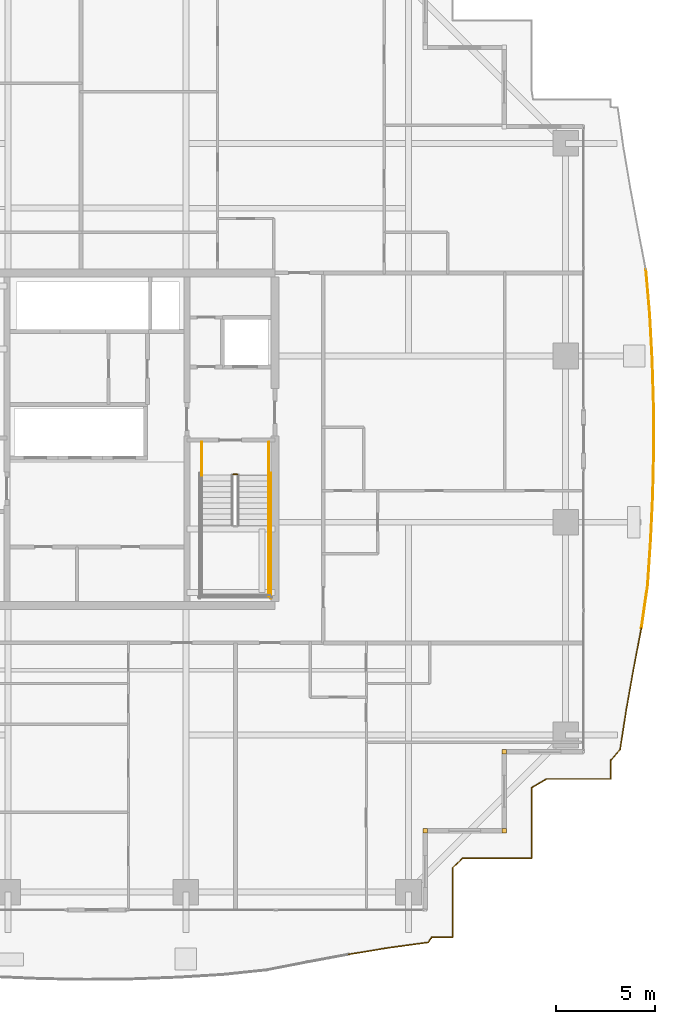
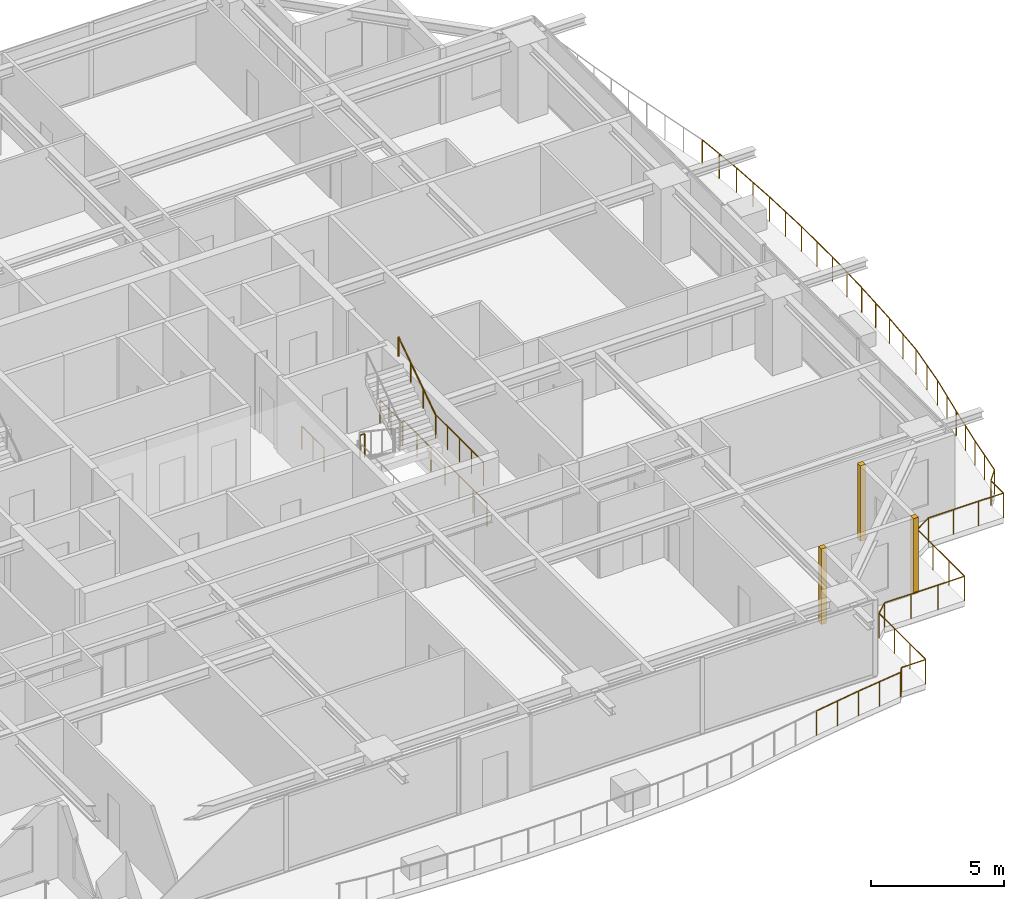
# One storey, part 36 of 37: 9 railings, 3 coverings.
"""IFC4 building model written with IfcOpenShell, lengths in metres."""

from ifc_helpers import new_model, si_unit, direction, frame, origin, origin_2d, place, context, subcontext, project, spatial, rectangle, circle, extrude, source, transform, mapped, material, layer, layer_set, type_object, element, save


model = new_model("IFC4")

# Units and contexts
model_context = context("Model", 3, precision=1e-05, world=origin(), true_north=direction((0.0, 1.0)))
body_context = subcontext(model_context, "Body", "Model", "MODEL_VIEW")
ifc_project = project(units=[si_unit("LENGTHUNIT", "METRE"), si_unit("AREAUNIT", "SQUARE_METRE"), si_unit("VOLUMEUNIT", "CUBIC_METRE"), si_unit("PLANEANGLEUNIT", "RADIAN"), si_unit("MASSUNIT", "GRAM", prefix="KILO")], contexts=[model_context])

# Site, building, storey
site_placement = place(None, origin())
site = spatial("IfcSite", under=ifc_project, at=site_placement, CompositionType="ELEMENT")
building_placement = place(site_placement, origin())
building = spatial("IfcBuilding", under=site, at=building_placement, Name="Serunith Strait Residences", CompositionType="ELEMENT")
storey_placement = place(building_placement, frame((0.0, 0.0, 161.39990234375)))
storey = spatial("IfcBuildingStorey", under=building, at=storey_placement, Name="L40", CompositionType="ELEMENT", Elevation=161.39990234375)

# Railings
ifc_material_1 = material(Name="Stainless Steel & Laminated Glass Balustrade", Category="steel")
railing_type_1 = type_object("IfcRailingType", Name="RLG-BALC-1150", PredefinedType="BALUSTRADE", material=ifc_material_1)
railing_1_placement = place(storey_placement, frame((60.152587890625, 33.77392578125, -0.0498046875)))
element("IfcRailing", 1, at=railing_1_placement, inside=storey, type_object=railing_type_1, Name="L40 Swirling Balcony Perimeter Balustrade 4", PredefinedType="BALUSTRADE", context=body_context, shape_type="SweptSolid", body=[
    extrude(circle(Radius=0.02392578125, at=origin_2d()), frame((0.000244140625, -0.001953125, 1.1259765625), z_axis=(0.087222402441, -0.996188863877, 0.0), x_axis=(0.996188863877, 0.087222402441, 0.0)), (0.0, 0.0, 1.0), 2.2353515625),
    extrude(circle(Radius=0.02392578125, at=origin_2d()), frame((0.1953125, -2.232666015625, 1.1259765625), z_axis=(0.05447810144, -0.998514965568, 0.0), x_axis=(0.998514965568, 0.05447810144, 0.0)), (0.0, 0.0, 1.0), 2.2724609375),
    extrude(circle(Radius=0.02392578125, at=origin_2d()), frame((0.3193359375, -4.505859375, 1.1259765625), z_axis=(0.03070405422, -0.99952851938, 0.0), x_axis=(0.99952851938, 0.03070405422, 0.0)), (0.0, 0.0, 1.0), 2.2939453125),
    extrude(circle(Radius=0.02392578125, at=origin_2d()), frame((0.389892578125, -6.802734375, 1.1259765625), z_axis=(0.004444400549, -0.999990123603, 0.0), x_axis=(0.999990123603, 0.004444400549, 0.0)), (0.0, 0.0, 1.0), 2.30322265625),
    extrude(circle(Radius=0.02392578125, at=origin_2d()), frame((0.400146484375, -9.10986328125, 1.1259765625), z_axis=(-0.022153171011, -0.999754588394, 0.0), x_axis=(0.999754588394, -0.022153171011, 0.0)), (0.0, 0.0, 1.0), 2.29931640625),
    extrude(circle(Radius=0.02392578125, at=origin_2d()), frame((0.34912109375, -11.41259765625, 1.1259765625), z_axis=(-0.046976724356, -0.998895984259, 0.0), x_axis=(0.998895984259, -0.046976724356, 0.0)), (0.0, 0.0, 1.0), 2.28271484375),
    extrude(circle(Radius=0.02392578125, at=origin_2d()), frame((0.241455078125, -13.69677734375, 1.1259765625), z_axis=(-0.067852791401, -0.997695343629, 0.0), x_axis=(0.997695343629, -0.067852791401, 0.0)), (0.0, 0.0, 1.0), 2.255615234375),
    extrude(circle(Radius=0.02392578125, at=origin_2d()), frame((0.088134765625, -15.951171875, 1.1259765625), z_axis=(-0.143086608625, -0.989710170925, 0.0), x_axis=(0.989710170925, -0.143086608625, 0.0)), (0.0, 0.0, 1.0), 2.19189453125),
    extrude(circle(Radius=0.02099609375, at=origin_2d()), origin(), (0.0, 0.0, 1.0), 1.099853515625),
    extrude(circle(Radius=0.02099609375, at=origin_2d()), frame((0.09765625, -1.115234375, 0.0)), (0.0, 0.0, 1.0), 1.099853515625),
    extrude(circle(Radius=0.02099609375, at=origin_2d()), frame((0.1953125, -2.230712890625, 0.0)), (0.0, 0.0, 1.0), 1.099853515625),
    extrude(circle(Radius=0.02099609375, at=origin_2d()), frame((0.25732421875, -3.3671875, 0.0)), (0.0, 0.0, 1.0), 1.099853515625),
    extrude(circle(Radius=0.02099609375, at=origin_2d()), frame((0.3193359375, -4.50390625, 0.0)), (0.0, 0.0, 1.0), 1.099853515625),
    extrude(circle(Radius=0.02099609375, at=origin_2d()), frame((0.3544921875, -5.65234375, 0.0)), (0.0, 0.0, 1.0), 1.099853515625),
    extrude(circle(Radius=0.02099609375, at=origin_2d()), frame((0.389892578125, -6.80078125, 0.0)), (0.0, 0.0, 1.0), 1.099853515625),
    extrude(circle(Radius=0.02099609375, at=origin_2d()), frame((0.39501953125, -7.954345703125, 0.0)), (0.0, 0.0, 1.0), 1.099853515625),
    extrude(circle(Radius=0.02099609375, at=origin_2d()), frame((0.400146484375, -9.10791015625, 0.0)), (0.0, 0.0, 1.0), 1.099853515625),
    extrude(circle(Radius=0.02099609375, at=origin_2d()), frame((0.37451171875, -10.25927734375, 0.0)), (0.0, 0.0, 1.0), 1.099853515625),
    extrude(circle(Radius=0.02099609375, at=origin_2d()), frame((0.34912109375, -11.41064453125, 0.0)), (0.0, 0.0, 1.0), 1.099853515625),
    extrude(circle(Radius=0.02099609375, at=origin_2d()), frame((0.29541015625, -12.552734375, 0.0)), (0.0, 0.0, 1.0), 1.099853515625),
    extrude(circle(Radius=0.02099609375, at=origin_2d()), frame((0.24169921875, -13.69482421875, 0.0)), (0.0, 0.0, 1.0), 1.099853515625),
    extrude(circle(Radius=0.02099609375, at=origin_2d()), frame((0.1650390625, -14.822021484375, 0.0)), (0.0, 0.0, 1.0), 1.099853515625),
    extrude(circle(Radius=0.02099609375, at=origin_2d()), frame((0.08837890625, -15.94921875, 0.0)), (0.0, 0.0, 1.0), 1.099853515625),
    extrude(circle(Radius=0.02099609375, at=origin_2d()), frame((-0.06884765625, -17.035888671875, 0.0)), (0.0, 0.0, 1.0), 1.099853515625),
    extrude(circle(Radius=0.02099609375, at=origin_2d()), frame((-0.225830078125, -18.12255859375, 0.0)), (0.0, 0.0, 1.0), 1.099853515625),
])
railing_2_placement = place(storey_placement, frame((59.9267578125, 15.6513671875, -0.0498046875)))
element("IfcRailing", 2, at=railing_2_placement, inside=storey, type_object=railing_type_1, Name="L40 Swirling Balcony Perimeter Balustrade 5", PredefinedType="BALUSTRADE", context=body_context, shape_type="SweptSolid", body=[
    extrude(circle(Radius=0.02392578125, at=origin_2d()), frame((-0.00048828125, -0.001953125, 1.1259765625), z_axis=(-0.187994394229, -0.982170101224, 0.0), x_axis=(0.982170101224, -0.187994394229, 0.0)), (0.0, 0.0, 1.0), 2.119384765625),
    extrude(circle(Radius=0.02392578125, at=origin_2d()), frame((-0.3994140625, -2.08740234375, 1.1259765625), z_axis=(-0.175460053687, -0.984486551234, 0.0), x_axis=(0.984486551234, -0.175460053687, 0.0)), (0.0, 0.0, 1.0), 2.06640625),
    extrude(circle(Radius=0.02392578125, at=origin_2d()), frame((-0.7626953125, -4.125732421875, 1.1259765625), z_axis=(-0.15295932288, -0.988232485574, 0.0), x_axis=(0.988232485574, -0.15295932288, 0.0)), (0.0, 0.0, 1.0), 2.029541015625),
    extrude(circle(Radius=0.02392578125, at=origin_2d()), frame((-1.07470703125, -6.134765625, 1.1259765625), z_axis=(-0.649659369082, -0.760225429833, 0.0), x_axis=(0.760225429833, -0.649659369082, 0.0)), (0.0, 0.0, 1.0), 0.724609375),
    extrude(circle(Radius=0.02392578125, at=origin_2d()), frame((-1.546875, -6.689208984375, 1.1259765625), z_axis=(0.0, -1.0, 0.0), x_axis=(1.0, 0.0, 0.0)), (0.0, 0.0, 1.0), 0.940185546875),
    extrude(circle(Radius=0.02392578125, at=origin_2d()), frame((-1.548828125, -7.63134765625, 1.1259765625), z_axis=(-1.0, 0.0, 0.0), x_axis=(0.0, -1.0, 0.0)), (0.0, 0.0, 1.0), 3.254150390625),
    extrude(circle(Radius=0.02392578125, at=origin_2d()), frame((-4.806640625, -7.63232421875, 1.1259765625), z_axis=(-0.858413716241, -0.512957982459, 0.0), x_axis=(0.512957982459, -0.858413716241, 0.0)), (0.0, 0.0, 1.0), 0.8603515625),
    extrude(circle(Radius=0.02392578125, at=origin_2d()), frame((-5.546875, -8.07666015625, 1.1259765625), z_axis=(0.0, -1.0, 0.0), x_axis=(1.0, 0.0, 0.0)), (0.0, 0.0, 1.0), 3.552734375),
    extrude(circle(Radius=0.02099609375, at=origin_2d()), origin(), (0.0, 0.0, 1.0), 1.099853515625),
    extrude(circle(Radius=0.02099609375, at=origin_2d()), frame((-0.19970703125, -1.042724609375, 0.0)), (0.0, 0.0, 1.0), 1.099853515625),
    extrude(circle(Radius=0.02099609375, at=origin_2d()), frame((-0.399169921875, -2.08544921875, 0.0)), (0.0, 0.0, 1.0), 1.099853515625),
    extrude(circle(Radius=0.02099609375, at=origin_2d()), frame((-0.580810546875, -3.1044921875, 0.0)), (0.0, 0.0, 1.0), 1.099853515625),
    extrude(circle(Radius=0.02099609375, at=origin_2d()), frame((-0.762451171875, -4.123779296875, 0.0)), (0.0, 0.0, 1.0), 1.099853515625),
    extrude(circle(Radius=0.02099609375, at=origin_2d()), frame((-0.91796875, -5.12841796875, 0.0)), (0.0, 0.0, 1.0), 1.099853515625),
    extrude(circle(Radius=0.02099609375, at=origin_2d()), frame((-1.073486328125, -6.13330078125, 0.0)), (0.0, 0.0, 1.0), 1.099853515625),
    extrude(circle(Radius=0.02099609375, at=origin_2d()), frame((-1.546875, -6.687255859375, 0.0)), (0.0, 0.0, 1.0), 1.099853515625),
    extrude(circle(Radius=0.02099609375, at=origin_2d()), frame((-1.546875, -7.63134765625, 0.0)), (0.0, 0.0, 1.0), 1.099853515625),
    extrude(circle(Radius=0.02099609375, at=origin_2d()), frame((-2.6328125, -7.63134765625, 0.0)), (0.0, 0.0, 1.0), 1.099853515625),
    extrude(circle(Radius=0.02099609375, at=origin_2d()), frame((-3.718994140625, -7.63134765625, 0.0)), (0.0, 0.0, 1.0), 1.099853515625),
    extrude(circle(Radius=0.02099609375, at=origin_2d()), frame((-4.804931640625, -7.63134765625, 0.0)), (0.0, 0.0, 1.0), 1.099853515625),
    extrude(circle(Radius=0.02099609375, at=origin_2d()), frame((-5.546875, -8.07470703125, 0.0)), (0.0, 0.0, 1.0), 1.099853515625),
    extrude(circle(Radius=0.02099609375, at=origin_2d()), frame((-5.546875, -9.26025390625, 0.0)), (0.0, 0.0, 1.0), 1.099853515625),
    extrude(circle(Radius=0.02099609375, at=origin_2d()), frame((-5.546875, -10.44580078125, 0.0)), (0.0, 0.0, 1.0), 1.099853515625),
    extrude(circle(Radius=0.02099609375, at=origin_2d()), frame((-5.546875, -11.63134765625, 0.0)), (0.0, 0.0, 1.0), 1.099853515625),
])
railing_3_placement = place(storey_placement, frame((54.3798828125, 4.02001953125, -0.0498046875)))
element("IfcRailing", 3, at=railing_3_placement, inside=storey, type_object=railing_type_1, Name="L40 Swirling Balcony Perimeter Balustrade 6", PredefinedType="BALUSTRADE", context=body_context, shape_type="SweptSolid", body=[
    extrude(circle(Radius=0.02392578125, at=origin_2d()), frame((-0.001953125, 0.0, 1.1259765625), z_axis=(-1.0, 0.0, 0.0), x_axis=(0.0, -1.0, 0.0)), (0.0, 0.0, 1.0), 3.477783203125),
    extrude(circle(Radius=0.02392578125, at=origin_2d()), frame((-3.483154296875, -0.00146484375, 1.1259765625), z_axis=(-0.722250155549, -0.691631920034, 0.0), x_axis=(0.691631920034, -0.722250155549, 0.0)), (0.0, 0.0, 1.0), 0.713623046875),
    extrude(circle(Radius=0.02392578125, at=origin_2d()), frame((-4.0, -0.498291015625, 1.1259765625), z_axis=(0.0, -1.0, 0.0), x_axis=(1.0, 0.0, 0.0)), (0.0, 0.0, 1.0), 3.499755859375),
    extrude(circle(Radius=0.02392578125, at=origin_2d()), frame((-4.001953125, -4.0, 1.1259765625), z_axis=(-1.0, 0.0, 0.0), x_axis=(0.0, -1.0, 0.0)), (0.0, 0.0, 1.0), 1.044189453125),
    extrude(circle(Radius=0.02392578125, at=origin_2d()), frame((-5.04931640625, -4.001708984375, 1.1259765625), z_axis=(-0.583841000326, -0.811868022734, 0.0), x_axis=(0.811868022734, -0.583841000326, 0.0)), (0.0, 0.0, 1.0), 0.31494140625),
    extrude(circle(Radius=0.02392578125, at=origin_2d()), frame((-5.236328125, -4.25927734375, 1.1259765625), z_axis=(-0.990806589717, -0.135285999915, 0.0), x_axis=(0.135285999915, -0.990806589717, 0.0)), (0.0, 0.0, 1.0), 2.013671875),
    extrude(circle(Radius=0.02392578125, at=origin_2d()), frame((-7.2353515625, -4.5322265625, 1.1259765625), z_axis=(-0.986753151218, -0.162228907912, 0.0), x_axis=(0.162228907912, -0.986753151218, 0.0)), (0.0, 0.0, 1.0), 2.039794921875),
    extrude(circle(Radius=0.02099609375, at=origin_2d()), origin(), (0.0, 0.0, 1.0), 1.099853515625),
    extrude(circle(Radius=0.02099609375, at=origin_2d()), frame((-1.16064453125, 0.0, 0.0)), (0.0, 0.0, 1.0), 1.099853515625),
    extrude(circle(Radius=0.02099609375, at=origin_2d()), frame((-2.321044921875, 0.0, 0.0)), (0.0, 0.0, 1.0), 1.099853515625),
    extrude(circle(Radius=0.02099609375, at=origin_2d()), frame((-3.481689453125, 0.0, 0.0)), (0.0, 0.0, 1.0), 1.099853515625),
    extrude(circle(Radius=0.02099609375, at=origin_2d()), frame((-4.0, -0.496337890625, 0.0)), (0.0, 0.0, 1.0), 1.099853515625),
    extrude(circle(Radius=0.02099609375, at=origin_2d()), frame((-4.0, -1.664306640625, 0.0)), (0.0, 0.0, 1.0), 1.099853515625),
    extrude(circle(Radius=0.02099609375, at=origin_2d()), frame((-4.0, -2.83203125, 0.0)), (0.0, 0.0, 1.0), 1.099853515625),
    extrude(circle(Radius=0.02099609375, at=origin_2d()), frame((-4.0, -4.0, 0.0)), (0.0, 0.0, 1.0), 1.099853515625),
    extrude(circle(Radius=0.02099609375, at=origin_2d()), frame((-5.048095703125, -4.0, 0.0)), (0.0, 0.0, 1.0), 1.099853515625),
    extrude(circle(Radius=0.02099609375, at=origin_2d()), frame((-5.234375, -4.259033203125, 0.0)), (0.0, 0.0, 1.0), 1.099853515625),
    extrude(circle(Radius=0.02099609375, at=origin_2d()), frame((-6.23388671875, -4.3955078125, 0.0)), (0.0, 0.0, 1.0), 1.099853515625),
    extrude(circle(Radius=0.02099609375, at=origin_2d()), frame((-7.2333984375, -4.531982421875, 0.0)), (0.0, 0.0, 1.0), 1.099853515625),
    extrude(circle(Radius=0.02099609375, at=origin_2d()), frame((-8.24169921875, -4.69775390625, 0.0)), (0.0, 0.0, 1.0), 1.099853515625),
    extrude(circle(Radius=0.02099609375, at=origin_2d()), frame((-9.25, -4.863525390625, 0.0)), (0.0, 0.0, 1.0), 1.099853515625),
])
ifc_material_2 = material(Name="Brushed stainless steel 316L", Category="steel")
railing_type_2 = type_object("IfcRailingType", Name="RLG-STAIR-GUARD", PredefinedType="BALUSTRADE", material=ifc_material_2)
railing_4_placement = place(storey_placement, frame((41.10009765625, 20.85009765625, 1.875)))
element("IfcRailing", 4, at=railing_4_placement, inside=storey, type_object=railing_type_2, Name="L40 ST-2 stair guard 4", PredefinedType="BALUSTRADE", context=body_context, shape_type="SweptSolid", body=[
    extrude(circle(Radius=0.02392578125, at=origin_2d()), frame((0.0, -0.001953125, 1.076171875), z_axis=(0.0, -1.0, 0.0), x_axis=(1.0, 0.0, 0.0)), (0.0, 0.0, 1.0), 3.59619140625),
    extrude(circle(Radius=0.02099609375, at=origin_2d()), origin(), (0.0, 0.0, 1.0), 1.050048828125),
    extrude(circle(Radius=0.02099609375, at=origin_2d()), frame((0.0, -0.89990234375, 0.0)), (0.0, 0.0, 1.0), 1.050048828125),
    extrude(circle(Radius=0.02099609375, at=origin_2d()), frame((0.0, -1.800048828125, 0.0)), (0.0, 0.0, 1.0), 1.050048828125),
    extrude(circle(Radius=0.02099609375, at=origin_2d()), frame((0.0, -2.7001953125, 0.0)), (0.0, 0.0, 1.0), 1.050048828125),
    extrude(circle(Radius=0.02099609375, at=origin_2d()), frame((0.0, -3.60009765625, 0.0)), (0.0, 0.0, 1.0), 1.050048828125),
])
railing_5_placement = place(storey_placement, frame((39.300048828125, 23.419921875, 0.0)))
element("IfcRailing", 5, at=railing_5_placement, inside=storey, type_object=railing_type_2, Name="L40 ST-2 stair guard 7", PredefinedType="BALUSTRADE", context=body_context, shape_type="SweptSolid", body=[
    extrude(circle(Radius=0.02392578125, at=origin_2d()), frame((0.001953125, 0.0, 1.076171875), z_axis=(1.0, 0.0, 0.0), x_axis=(0.0, 1.0, 0.0)), (0.0, 0.0, 1.0), 0.196044921875),
    extrude(circle(Radius=0.02099609375, at=origin_2d()), origin(), (0.0, 0.0, 1.0), 1.050048828125),
    extrude(circle(Radius=0.02099609375, at=origin_2d()), frame((0.199951171875, 0.0, 0.0)), (0.0, 0.0, 1.0), 1.050048828125),
])
for number, where, name in (
    (6, (37.699951171875, 25.050048828125, 0.0), "L40 ST-2 stair guard 8"),
    (7, (41.10009765625, 25.050048828125, 0.0), "L40 ST-2 stair guard 9"),
):
    element("IfcRailing", number, at=place(storey_placement, frame(where)), inside=storey, type_object=railing_type_2, Name=name, PredefinedType="BALUSTRADE", context=body_context, shape_type="SweptSolid", body=[
        extrude(circle(Radius=0.02392578125, at=origin_2d()), frame((0.0, -0.001953125, 1.076171875), z_axis=(0.0, -1.0, 0.0), x_axis=(1.0, 0.0, 0.0)), (0.0, 0.0, 1.0), 1.676025390625),
        extrude(circle(Radius=0.02099609375, at=origin_2d()), origin(), (0.0, 0.0, 1.0), 1.050048828125),
        extrude(circle(Radius=0.02099609375, at=origin_2d()), frame((0.0, -0.83984375, 0.0)), (0.0, 0.0, 1.0), 1.050048828125),
        extrude(circle(Radius=0.02099609375, at=origin_2d()), frame((0.0, -1.679931640625, 0.0)), (0.0, 0.0, 1.0), 1.050048828125),
    ])
railing_6_placement = place(storey_placement, frame((41.199951171875, 23.469970703125, 0.0)))
element("IfcRailing", 8, at=railing_6_placement, inside=storey, type_object=railing_type_2, Name="L40 ST-2 stair guard 11", PredefinedType="BALUSTRADE", context=body_context, shape_type="SweptSolid", body=[
    extrude(circle(Radius=0.02392578125, at=origin_2d()), frame((0.0, -0.001953125, 1.076171875), z_axis=(0.0, -1.0, 0.0), x_axis=(1.0, 0.0, 0.0)), (0.0, 0.0, 1.0), 6.316162109375),
    extrude(circle(Radius=0.02099609375, at=origin_2d()), origin(), (0.0, 0.0, 1.0), 1.050048828125),
    extrude(circle(Radius=0.02099609375, at=origin_2d()), frame((0.0, -1.05322265625, 0.0)), (0.0, 0.0, 1.0), 1.050048828125),
    extrude(circle(Radius=0.02099609375, at=origin_2d()), frame((0.0, -2.106689453125, 0.0)), (0.0, 0.0, 1.0), 1.050048828125),
    extrude(circle(Radius=0.02099609375, at=origin_2d()), frame((0.0, -3.16015625, 0.0)), (0.0, 0.0, 1.0), 1.050048828125),
    extrude(circle(Radius=0.02099609375, at=origin_2d()), frame((0.0, -4.21337890625, 0.0)), (0.0, 0.0, 1.0), 1.050048828125),
    extrude(circle(Radius=0.02099609375, at=origin_2d()), frame((0.0, -5.2666015625, 0.0)), (0.0, 0.0, 1.0), 1.050048828125),
    extrude(circle(Radius=0.02099609375, at=origin_2d()), frame((0.0, -6.320068359375, 0.0)), (0.0, 0.0, 1.0), 1.050048828125),
])
railing_type_3 = type_object("IfcRailingType", Name="RLG-STAIR-HR", PredefinedType="HANDRAIL", material=ifc_material_2)
railing_7_placement = place(storey_placement, frame((41.10009765625, 20.85009765625, 2.0625)))
element("IfcRailing", 9, at=railing_7_placement, inside=storey, type_object=railing_type_3, Name="L40 ST-2 stair handrail 2", PredefinedType="HANDRAIL", context=body_context, shape_type="SweptSolid", body=[
    extrude(circle(Radius=0.02392578125, at=origin_2d()), frame((0.0, 0.001708984375, 0.876953125), z_axis=(0.0, 0.830185712471, 0.557486935101), x_axis=(-1.0, 0.0, 0.0)), (0.0, 0.0, 1.0), 3.368408203125),
    extrude(circle(Radius=0.02099609375, at=origin_2d()), origin(), (0.0, 0.0, 1.0), 0.849853515625),
    extrude(circle(Radius=0.02099609375, at=origin_2d()), frame((0.0, 0.933349609375, 0.626708984375)), (0.0, 0.0, 1.0), 0.849853515625),
    extrude(circle(Radius=0.02099609375, at=origin_2d()), frame((0.0, 1.866455078125, 1.25341796875)), (0.0, 0.0, 1.0), 0.849853515625),
    extrude(circle(Radius=0.02099609375, at=origin_2d()), frame((0.0, 2.7998046875, 1.880126953125)), (0.0, 0.0, 1.0), 0.849853515625),
])

# Coverings
ifc_material_3 = material(Name="Pale-Champagne Anodised Aluminium", Category="aluminium")
ifc_layer = layer(ifc_material_3, 0.219970703125, Name="Pale-Champagne Anodised Aluminium")
ifc_layer_set = layer_set([ifc_layer], Name="Pale-Champagne Anodised Aluminium")
covering_type = type_object("IfcCoveringType", Name="COV-CORN-TRIM", PredefinedType="CLADDING", material=ifc_layer_set)
shared_shape = source(origin(), body_context, "Body", "SweptSolid", [
    extrude(rectangle(XDim=0.221923828125, YDim=0.221923828125, at=origin_2d()), origin(), (0.0, 0.0, 1.0), 3.47509765625),
])
for number, where, z_axis, x_axis, name in (
    (10, (49.0, 5.39990234375, 0.0), (0.0, 0.0, 1.0), (1.0, 0.0, 0.0), "L40 Girih Serrated Corner Trim Post 02"),
    (11, (53.0, 5.39990234375, 0.0), (0.0, 0.0, 1.0), (1.0, 0.0, 0.0), "L40 Girih Serrated Corner Trim Post 03"),
    (12, (53.0, 9.39990234375, 0.0), (0.0, 0.0, 1.0), (1.0, 0.0, 0.0), "L40 Girih Serrated Corner Trim Post 04"),
):
    element("IfcCovering", number, at=place(storey_placement, frame(where, z_axis=z_axis, x_axis=x_axis)), inside=storey, type_object=covering_type, Name=name, PredefinedType="CLADDING", context=body_context, shape_type="MappedRepresentation", body=[
        mapped(shared_shape, transform((0.0, 0.0, 0.0), scale=1.0)),
    ])

save(model, "model.ifc")
